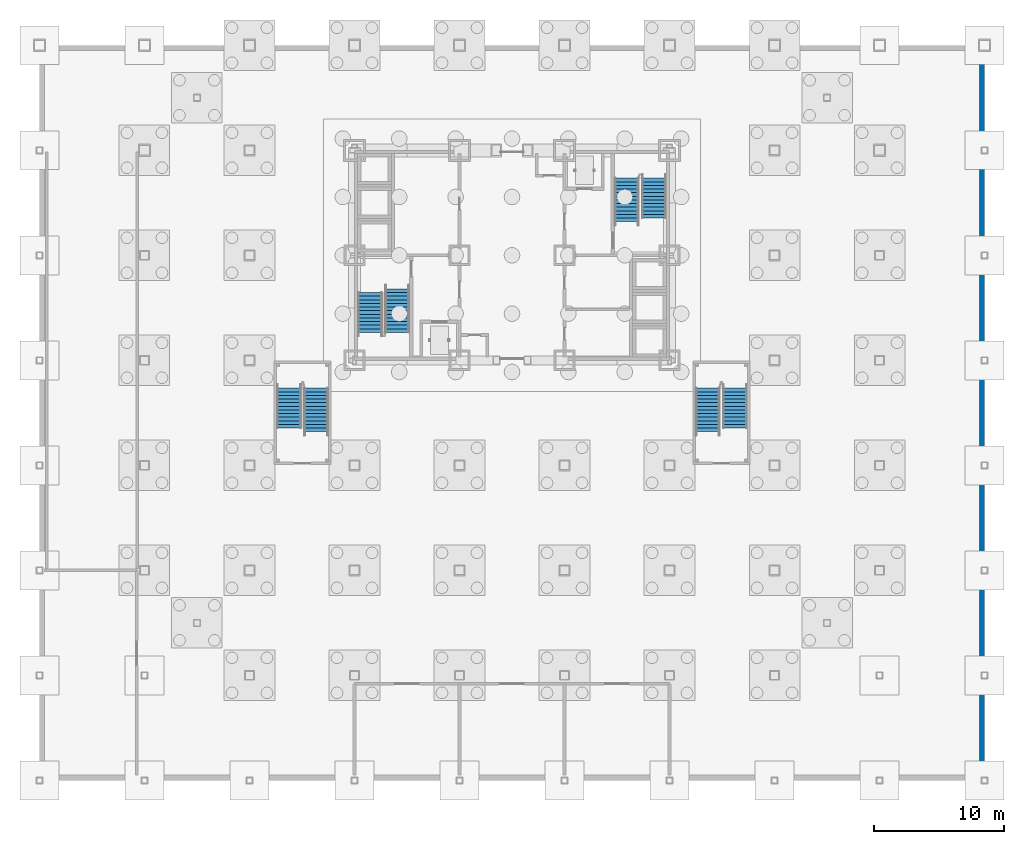
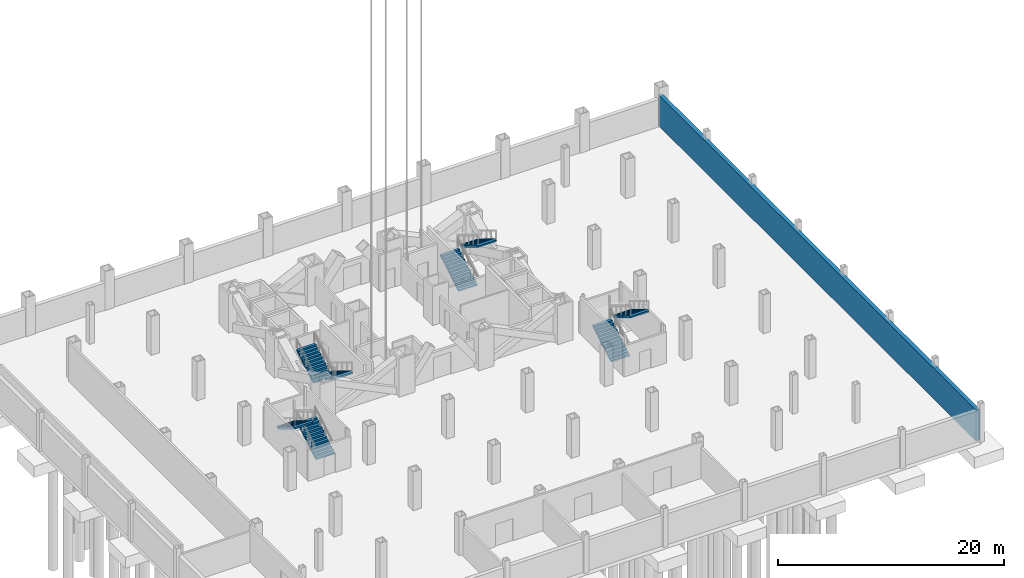
# One storey, part 13 of 17: 8 stair flights, 1 wall, 4 elements without a shape of their own.
"""IFC4 building model written with IfcOpenShell, lengths in metres."""

from ifc_helpers import new_model, si_unit, direction, frame, frame_2d, origin, place, context, subcontext, project, spatial, rectangle, extrude, polygons, source, transform, mapped, material, layer, layer_set, type_object, element, aggregate, save


model = new_model("IFC4")

# Units and contexts
model_context = context("Model", 3, precision=1e-05, world=origin(), true_north=direction((0.0, 1.0)))
body_context = subcontext(model_context, "Body", "Model", "MODEL_VIEW")
ifc_project = project(units=[si_unit("LENGTHUNIT", "METRE"), si_unit("AREAUNIT", "SQUARE_METRE"), si_unit("VOLUMEUNIT", "CUBIC_METRE"), si_unit("PLANEANGLEUNIT", "RADIAN"), si_unit("MASSUNIT", "GRAM", prefix="KILO")], contexts=[model_context])

# Site, building, storey
site_placement = place(None, origin())
site = spatial("IfcSite", under=ifc_project, at=site_placement, CompositionType="ELEMENT")
building_placement = place(site_placement, origin())
building = spatial("IfcBuilding", under=site, at=building_placement, Name="Kopane Lantern Tower", CompositionType="ELEMENT")
storey_placement = place(building_placement, frame((0.0, 0.0, -8.39990234375)))
storey = spatial("IfcBuildingStorey", under=building, at=storey_placement, Name="L-02", CompositionType="ELEMENT", Elevation=-8.39990234375)

# Wall
ifc_material_1 = material(Name="Concrete C40/50", Category="concrete")
ifc_layer = layer(ifc_material_1, 0.39990234375)
ifc_layer_set = layer_set([ifc_layer], Name="BASEMENT RETAINING WALL 400")
wall_type = type_object("IfcWallType", Name="BASEMENT RETAINING WALL 400", PredefinedType="SOLIDWALL", material=ifc_layer_set)
wall_placement = place(storey_placement, frame((64.60009765625, -7.89990234375, 0.0), z_axis=(0.0, 0.0, 1.0), x_axis=(0.0, 1.0, 0.0)))
element("IfcWall", 1, at=wall_placement, inside=storey, type_object=wall_type, Name="Basement Retaining Wall 400 L-02", PredefinedType="SOLIDWALL", context=body_context, shape_type="SweptSolid", body=[
    extrude(rectangle(XDim=56.2998046875, YDim=0.39990234375, at=frame_2d((28.14990234375, 0.0))), origin(), (0.0, 0.0, 1.0), 3.337646484375),
])

# Stair, stair flight
ifc_material_2 = material(Name="Steel S355JR", Category="steel")
stair_type = type_object("IfcStairType", Name="EXIT STAIR 1900 HALF TURN", PredefinedType="HALF_TURN_STAIR", material=ifc_material_2)
stair_1_placement = place(storey_placement, origin())
stair_1 = element("IfcStair", 2, at=stair_1_placement, inside=storey, type_object=stair_type, Name="Exit stair ST1 L-02", PredefinedType="HALF_TURN_STAIR")
ifc_material_3 = material(Name="Steel S355JR", Category="steel")
stair_flight_type = type_object("IfcStairFlightType", Name="STAIR FLIGHT 1900 STEEL", PredefinedType="STRAIGHT", material=ifc_material_3)
shared_shape_1 = source(origin(), body_context, "Body", "Tessellation", [
    polygons([(3.360107422, 0.949951172, 2.016113281), (3.080078125, 0.949951172, 2.016113281), (3.080078125, -0.949951172, 2.016113281), (3.360107422, -0.949951172, 2.016113281), (0.291259766, 0.949951172, 0.0), (3.360107422, 0.949951172, 1.841064453), (3.360107422, -0.949951172, 1.841064453), (0.291259766, -0.949951172, 0.0), (0.0, 0.949951172, 0.0), (0.0, -0.949951172, 0.0), (0.280029297, 0.949951172, 0.16796875), (0.0, 0.949951172, 0.16796875), (0.0, -0.949951172, 0.16796875), (0.280029297, -0.949951172, 0.16796875), (0.280029297, 0.949951172, 0.3359375), (0.280029297, -0.949951172, 0.3359375), (0.560058594, 0.949951172, 0.3359375), (0.560058594, -0.949951172, 0.3359375), (0.560058594, 0.949951172, 0.50390625), (0.560058594, -0.949951172, 0.50390625), (0.840087891, 0.949951172, 0.50390625), (0.840087891, -0.949951172, 0.50390625), (0.840087891, 0.949951172, 0.672119141), (0.840087891, -0.949951172, 0.672119141), (1.120117188, 0.949951172, 0.672119141), (1.120117188, -0.949951172, 0.672119141), (1.120117188, 0.949951172, 0.840087891), (1.120117188, -0.949951172, 0.840087891), (1.399902344, 0.949951172, 0.840087891), (1.399902344, -0.949951172, 0.840087891), (1.399902344, 0.949951172, 1.008056641), (1.399902344, -0.949951172, 1.008056641), (1.679931641, 0.949951172, 1.008056641), (1.679931641, -0.949951172, 1.008056641), (1.679931641, 0.949951172, 1.176025391), (1.679931641, -0.949951172, 1.176025391), (1.959960938, 0.949951172, 1.176025391), (1.959960938, -0.949951172, 1.176025391), (1.959960938, 0.949951172, 1.343994141), (1.959960938, -0.949951172, 1.343994141), (2.239990234, 0.949951172, 1.343994141), (2.239990234, -0.949951172, 1.343994141), (2.239990234, 0.949951172, 1.511962891), (2.239990234, -0.949951172, 1.511962891), (2.520019531, 0.949951172, 1.511962891), (2.520019531, -0.949951172, 1.511962891), (2.520019531, 0.949951172, 1.679931641), (2.520019531, -0.949951172, 1.679931641), (2.800048828, 0.949951172, 1.679931641), (2.800048828, -0.949951172, 1.679931641), (2.800048828, 0.949951172, 1.847900391), (2.800048828, -0.949951172, 1.847900391), (3.080078125, 0.949951172, 1.847900391), (3.080078125, -0.949951172, 1.847900391), (0.0, 0.0, 0.004539696), (0.0, 0.0, 0.009079392), (0.0, 0.0, 0.013619088), (0.0, 0.0, 0.018158784), (0.0, 0.0, 0.02269848), (0.0, 0.0, 0.027238176), (0.0, 0.0, 0.031777872), (0.0, 0.0, 0.036317568), (0.0, 0.0, 0.040857264), (0.0, 0.0, 0.045396959), (0.0, 0.0, 0.049936655), (0.0, 0.0, 0.054476351), (0.0, 0.0, 0.059016047), (0.0, 0.0, 0.063555743), (0.0, 0.0, 0.068095439), (0.0, 0.0, 0.072635135), (0.0, 0.0, 0.077174831), (0.0, 0.0, 0.081714527), (0.0, 0.0, 0.086254223), (0.0, 0.0, 0.090793919), (0.0, 0.0, 0.095333615), (0.0, 0.0, 0.099873311), (0.0, 0.0, 0.104413007), (0.0, 0.0, 0.108952703), (0.0, 0.0, 0.113492399), (0.0, 0.0, 0.118032095), (0.0, 0.0, 0.122571791), (0.0, 0.0, 0.127111486), (0.0, 0.0, 0.131651182), (0.0, 0.0, 0.136190878), (0.0, 0.0, 0.140730574), (0.0, 0.0, 0.14527027), (0.0, 0.0, 0.149809966), (0.0, 0.0, 0.154349662), (0.0, 0.0, 0.158889358), (0.0, 0.0, 0.163429054), (3.360107422, 0.0, 1.845795503), (3.360107422, 0.0, 1.850526552), (3.360107422, 0.0, 1.855257601), (3.360107422, 0.0, 1.859988651), (3.360107422, 0.0, 1.8647197), (3.360107422, 0.0, 1.86945075), (3.360107422, 0.0, 1.874181799), (3.360107422, 0.0, 1.878912848), (3.360107422, 0.0, 1.883643898), (3.360107422, 0.0, 1.888374947), (3.360107422, 0.0, 1.893105997), (3.360107422, 0.0, 1.897837046), (3.360107422, 0.0, 1.902568095), (3.360107422, 0.0, 1.907299145), (3.360107422, 0.0, 1.912030194), (3.360107422, 0.0, 1.916761244), (3.360107422, 0.0, 1.921492293), (3.360107422, 0.0, 1.926223342), (3.360107422, 0.0, 1.930954392), (3.360107422, 0.0, 1.935685441), (3.360107422, 0.0, 1.940416491), (3.360107422, 0.0, 1.94514754), (3.360107422, 0.0, 1.94987859), (3.360107422, 0.0, 1.954609639), (3.360107422, 0.0, 1.959340688), (3.360107422, 0.0, 1.964071738), (3.360107422, 0.0, 1.968802787), (3.360107422, 0.0, 1.973533837), (3.360107422, 0.0, 1.978264886), (3.360107422, 0.0, 1.982995935), (3.360107422, 0.0, 1.987726985), (3.360107422, 0.0, 1.992458034), (3.360107422, 0.0, 1.997189084), (3.360107422, 0.0, 2.001920133), (3.360107422, 0.0, 2.006651182), (3.360107422, 0.0, 2.011382232)], [[[1, 2, 3]], [[1, 3, 4]], [[5, 6, 7]], [[5, 7, 8]], [[9, 5, 8]], [[9, 8, 10]], [[11, 12, 13]], [[11, 13, 14]], [[15, 11, 14]], [[15, 14, 16]], [[17, 15, 16]], [[17, 16, 18]], [[19, 17, 18]], [[19, 18, 20]], [[21, 19, 20]], [[21, 20, 22]], [[23, 21, 22]], [[23, 22, 24]], [[25, 23, 24]], [[25, 24, 26]], [[27, 25, 26]], [[27, 26, 28]], [[29, 27, 28]], [[29, 28, 30]], [[31, 29, 30]], [[31, 30, 32]], [[33, 31, 32]], [[33, 32, 34]], [[35, 33, 34]], [[35, 34, 36]], [[37, 35, 36]], [[37, 36, 38]], [[39, 37, 38]], [[39, 38, 40]], [[41, 39, 40]], [[41, 40, 42]], [[43, 41, 42]], [[43, 42, 44]], [[45, 43, 44]], [[45, 44, 46]], [[47, 45, 46]], [[47, 46, 48]], [[49, 47, 48]], [[49, 48, 50]], [[51, 49, 50]], [[51, 50, 52]], [[53, 51, 52]], [[53, 52, 54]], [[2, 53, 54]], [[2, 54, 3]], [[53, 1, 6]], [[49, 53, 6]], [[2, 1, 53]], [[45, 49, 6]], [[51, 53, 49]], [[41, 45, 6]], [[47, 49, 45]], [[43, 45, 41]], [[39, 41, 37]], [[35, 37, 33]], [[31, 33, 29]], [[5, 25, 29]], [[5, 21, 25]], [[27, 29, 25]], [[17, 21, 5]], [[23, 25, 21]], [[11, 17, 5]], [[19, 21, 17]], [[9, 11, 5]], [[15, 17, 11]], [[12, 11, 9]], [[6, 5, 41]], [[41, 5, 37]], [[37, 5, 33]], [[33, 5, 29]], [[7, 4, 54]], [[7, 54, 50]], [[54, 4, 3]], [[7, 50, 46]], [[50, 54, 52]], [[7, 46, 42]], [[46, 50, 48]], [[42, 46, 44]], [[38, 42, 40]], [[34, 38, 36]], [[30, 34, 32]], [[30, 26, 8]], [[26, 22, 8]], [[26, 30, 28]], [[8, 22, 18]], [[22, 26, 24]], [[8, 18, 14]], [[18, 22, 20]], [[8, 14, 10]], [[14, 18, 16]], [[10, 14, 13]], [[42, 8, 7]], [[38, 8, 42]], [[34, 8, 38]], [[30, 8, 34]], [[10, 55, 9]], [[10, 56, 55]], [[9, 55, 56]], [[10, 57, 56]], [[9, 56, 57]], [[10, 58, 57]], [[9, 57, 58]], [[10, 59, 58]], [[9, 58, 59]], [[10, 60, 59]], [[9, 59, 60]], [[10, 61, 60]], [[9, 60, 61]], [[10, 62, 61]], [[9, 61, 62]], [[10, 63, 62]], [[9, 62, 63]], [[10, 64, 63]], [[9, 63, 64]], [[10, 65, 64]], [[9, 64, 65]], [[10, 66, 65]], [[9, 65, 66]], [[10, 67, 66]], [[9, 66, 67]], [[10, 68, 67]], [[9, 67, 68]], [[10, 69, 68]], [[9, 68, 69]], [[10, 70, 69]], [[9, 69, 70]], [[10, 71, 70]], [[9, 70, 71]], [[10, 72, 71]], [[9, 71, 72]], [[10, 73, 72]], [[9, 72, 73]], [[10, 74, 73]], [[9, 73, 74]], [[10, 75, 74]], [[9, 74, 75]], [[10, 76, 75]], [[9, 75, 76]], [[10, 77, 76]], [[9, 76, 77]], [[10, 78, 77]], [[9, 77, 78]], [[10, 79, 78]], [[9, 78, 79]], [[10, 80, 79]], [[9, 79, 80]], [[10, 81, 80]], [[9, 80, 81]], [[10, 82, 81]], [[9, 81, 82]], [[10, 83, 82]], [[9, 82, 83]], [[10, 84, 83]], [[9, 83, 84]], [[10, 85, 84]], [[9, 84, 85]], [[10, 86, 85]], [[9, 85, 86]], [[10, 87, 86]], [[9, 86, 87]], [[10, 88, 87]], [[9, 87, 88]], [[10, 89, 88]], [[9, 88, 89]], [[10, 90, 89]], [[9, 89, 90]], [[10, 13, 90]], [[90, 13, 12]], [[9, 90, 12]], [[7, 6, 91]], [[7, 91, 92]], [[6, 92, 91]], [[7, 92, 93]], [[6, 93, 92]], [[7, 93, 94]], [[6, 94, 93]], [[7, 94, 95]], [[6, 95, 94]], [[7, 95, 96]], [[6, 96, 95]], [[7, 96, 97]], [[6, 97, 96]], [[7, 97, 98]], [[6, 98, 97]], [[7, 98, 99]], [[6, 99, 98]], [[7, 99, 100]], [[6, 100, 99]], [[7, 100, 101]], [[6, 101, 100]], [[7, 101, 102]], [[6, 102, 101]], [[7, 102, 103]], [[6, 103, 102]], [[7, 103, 104]], [[6, 104, 103]], [[7, 104, 105]], [[6, 105, 104]], [[7, 105, 106]], [[6, 106, 105]], [[7, 106, 107]], [[6, 107, 106]], [[7, 107, 108]], [[6, 108, 107]], [[7, 108, 109]], [[6, 109, 108]], [[7, 109, 110]], [[6, 110, 109]], [[7, 110, 111]], [[6, 111, 110]], [[7, 111, 112]], [[6, 112, 111]], [[7, 112, 113]], [[6, 113, 112]], [[7, 113, 114]], [[6, 114, 113]], [[7, 114, 115]], [[6, 115, 114]], [[7, 115, 116]], [[6, 116, 115]], [[7, 116, 117]], [[6, 117, 116]], [[7, 117, 118]], [[6, 118, 117]], [[7, 118, 119]], [[6, 119, 118]], [[7, 119, 120]], [[6, 120, 119]], [[7, 120, 121]], [[6, 121, 120]], [[7, 121, 122]], [[6, 122, 121]], [[7, 122, 123]], [[6, 123, 122]], [[7, 123, 124]], [[6, 124, 123]], [[7, 124, 125]], [[6, 125, 124]], [[7, 125, 126]], [[6, 126, 125]], [[7, 126, 4]], [[126, 1, 4]], [[6, 1, 126]]], closed=True),
])
stair_flight_1_placement = place(storey_placement, frame((19.5, 29.81005859375, 0.0), z_axis=(0.0, 0.0, 1.0), x_axis=(0.0, -1.0, 0.0)))
stair_flight_1 = element("IfcStairFlight", 3, at=stair_flight_1_placement, type_object=stair_flight_type, Name="ST1 flight 1", NumberOfRisers=13, NumberOfTreads=12, PredefinedType="STRAIGHT", RiserHeight=0.168, TreadLength=0.28, context=body_context, shape_type="MappedRepresentation", body=[
    mapped(shared_shape_1, transform((0.0, 0.0, 0.0))),
])

stair_2_placement = place(storey_placement, origin())
stair_2 = element("IfcStair", 4, at=stair_2_placement, inside=storey, type_object=stair_type, Name="Exit stair ST2 L-02", PredefinedType="HALF_TURN_STAIR")
stair_flight_2_placement = place(storey_placement, frame((37.199951171875, 34.989990234375, 0.0), z_axis=(0.0, 0.0, 1.0), x_axis=(0.0, 1.0, 0.0)))
stair_flight_2 = element("IfcStairFlight", 5, at=stair_flight_2_placement, type_object=stair_flight_type, Name="ST2 flight 1", NumberOfRisers=13, NumberOfTreads=12, PredefinedType="STRAIGHT", RiserHeight=0.168, TreadLength=0.28, context=body_context, shape_type="MappedRepresentation", body=[
    mapped(shared_shape_1, transform((0.0, 0.0, 0.0))),
])

stair_3_placement = place(storey_placement, origin())
stair_3 = element("IfcStair", 6, at=stair_3_placement, inside=storey, type_object=stair_type, Name="Exit stair ST3 L-02", PredefinedType="HALF_TURN_STAIR")
stair_flight_3_placement = place(storey_placement, frame((13.25, 18.7900390625, 0.0), z_axis=(0.0, 0.0, 1.0), x_axis=(0.0, 1.0, 0.0)))
stair_flight_3 = element("IfcStairFlight", 7, at=stair_flight_3_placement, type_object=stair_flight_type, Name="ST3 flight 1", NumberOfRisers=13, NumberOfTreads=12, PredefinedType="STRAIGHT", RiserHeight=0.168, TreadLength=0.28, context=body_context, shape_type="MappedRepresentation", body=[
    mapped(shared_shape_1, transform((0.0, 0.0, 0.0))),
])

stair_4_placement = place(storey_placement, origin())
stair_4 = element("IfcStair", 8, at=stair_4_placement, inside=storey, type_object=stair_type, Name="Exit stair ST4 L-02", PredefinedType="HALF_TURN_STAIR")
stair_flight_4_placement = place(storey_placement, frame((43.449951171875, 18.7900390625, 0.0), z_axis=(0.0, 0.0, 1.0), x_axis=(0.0, 1.0, 0.0)))
stair_flight_4 = element("IfcStairFlight", 9, at=stair_flight_4_placement, type_object=stair_flight_type, Name="ST4 flight 1", NumberOfRisers=13, NumberOfTreads=12, PredefinedType="STRAIGHT", RiserHeight=0.168, TreadLength=0.28, context=body_context, shape_type="MappedRepresentation", body=[
    mapped(shared_shape_1, transform((0.0, 0.0, 0.0))),
])

# Stair flight
shared_shape_2 = source(origin(), body_context, "Body", "Tessellation", [
    polygons([(3.080078125, 0.949951172, 1.847900391), (2.800048828, 0.949951172, 1.847900391), (2.800048828, -0.949951172, 1.847900391), (3.080078125, -0.949951172, 1.847900391), (0.291259766, 0.949951172, 0.0), (3.080078125, 0.949951172, 1.673095703), (3.080078125, -0.949951172, 1.673095703), (0.291259766, -0.949951172, 0.0), (0.0, 0.949951172, 0.0), (0.0, -0.949951172, 0.0), (0.280029297, 0.949951172, 0.16796875), (0.0, 0.949951172, 0.16796875), (0.0, -0.949951172, 0.16796875), (0.280029297, -0.949951172, 0.16796875), (0.280029297, 0.949951172, 0.3359375), (0.280029297, -0.949951172, 0.3359375), (0.560058594, 0.949951172, 0.3359375), (0.560058594, -0.949951172, 0.3359375), (0.560058594, 0.949951172, 0.50390625), (0.560058594, -0.949951172, 0.50390625), (0.840087891, 0.949951172, 0.50390625), (0.840087891, -0.949951172, 0.50390625), (0.840087891, 0.949951172, 0.672119141), (0.840087891, -0.949951172, 0.672119141), (1.120117188, 0.949951172, 0.672119141), (1.120117188, -0.949951172, 0.672119141), (1.120117188, 0.949951172, 0.840087891), (1.120117188, -0.949951172, 0.840087891), (1.399902344, 0.949951172, 0.840087891), (1.399902344, -0.949951172, 0.840087891), (1.399902344, 0.949951172, 1.008056641), (1.399902344, -0.949951172, 1.008056641), (1.679931641, 0.949951172, 1.008056641), (1.679931641, -0.949951172, 1.008056641), (1.679931641, 0.949951172, 1.176025391), (1.679931641, -0.949951172, 1.176025391), (1.959960938, 0.949951172, 1.176025391), (1.959960938, -0.949951172, 1.176025391), (1.959960938, 0.949951172, 1.343994141), (1.959960938, -0.949951172, 1.343994141), (2.239990234, 0.949951172, 1.343994141), (2.239990234, -0.949951172, 1.343994141), (2.239990234, 0.949951172, 1.511962891), (2.239990234, -0.949951172, 1.511962891), (2.520019531, 0.949951172, 1.511962891), (2.520019531, -0.949951172, 1.511962891), (2.520019531, 0.949951172, 1.679931641), (2.520019531, -0.949951172, 1.679931641), (2.800048828, 0.949951172, 1.679931641), (2.800048828, -0.949951172, 1.679931641), (0.0, 0.0, 0.004539696), (0.0, 0.0, 0.009079392), (0.0, 0.0, 0.013619088), (0.0, 0.0, 0.018158784), (0.0, 0.0, 0.02269848), (0.0, 0.0, 0.027238176), (0.0, 0.0, 0.031777872), (0.0, 0.0, 0.036317568), (0.0, 0.0, 0.040857264), (0.0, 0.0, 0.045396959), (0.0, 0.0, 0.049936655), (0.0, 0.0, 0.054476351), (0.0, 0.0, 0.059016047), (0.0, 0.0, 0.063555743), (0.0, 0.0, 0.068095439), (0.0, 0.0, 0.072635135), (0.0, 0.0, 0.077174831), (0.0, 0.0, 0.081714527), (0.0, 0.0, 0.086254223), (0.0, 0.0, 0.090793919), (0.0, 0.0, 0.095333615), (0.0, 0.0, 0.099873311), (0.0, 0.0, 0.104413007), (0.0, 0.0, 0.108952703), (0.0, 0.0, 0.113492399), (0.0, 0.0, 0.118032095), (0.0, 0.0, 0.122571791), (0.0, 0.0, 0.127111486), (0.0, 0.0, 0.131651182), (0.0, 0.0, 0.136190878), (0.0, 0.0, 0.140730574), (0.0, 0.0, 0.14527027), (0.0, 0.0, 0.149809966), (0.0, 0.0, 0.154349662), (0.0, 0.0, 0.158889358), (0.0, 0.0, 0.163429054), (3.080078125, 0.0, 1.677820154), (3.080078125, 0.0, 1.682544605), (3.080078125, 0.0, 1.687269056), (3.080078125, 0.0, 1.691993507), (3.080078125, 0.0, 1.696717958), (3.080078125, 0.0, 1.701442409), (3.080078125, 0.0, 1.70616686), (3.080078125, 0.0, 1.710891311), (3.080078125, 0.0, 1.715615762), (3.080078125, 0.0, 1.720340213), (3.080078125, 0.0, 1.725064664), (3.080078125, 0.0, 1.729789115), (3.080078125, 0.0, 1.734513566), (3.080078125, 0.0, 1.739238017), (3.080078125, 0.0, 1.743962468), (3.080078125, 0.0, 1.748686919), (3.080078125, 0.0, 1.75341137), (3.080078125, 0.0, 1.758135821), (3.080078125, 0.0, 1.762860272), (3.080078125, 0.0, 1.767584723), (3.080078125, 0.0, 1.772309174), (3.080078125, 0.0, 1.777033625), (3.080078125, 0.0, 1.781758076), (3.080078125, 0.0, 1.786482527), (3.080078125, 0.0, 1.791206978), (3.080078125, 0.0, 1.795931429), (3.080078125, 0.0, 1.80065588), (3.080078125, 0.0, 1.805380332), (3.080078125, 0.0, 1.810104783), (3.080078125, 0.0, 1.814829234), (3.080078125, 0.0, 1.819553685), (3.080078125, 0.0, 1.824278136), (3.080078125, 0.0, 1.829002587), (3.080078125, 0.0, 1.833727038), (3.080078125, 0.0, 1.838451489), (3.080078125, 0.0, 1.84317594)], [[[1, 2, 3]], [[1, 3, 4]], [[5, 6, 7]], [[5, 7, 8]], [[9, 5, 8]], [[9, 8, 10]], [[11, 12, 13]], [[11, 13, 14]], [[15, 11, 14]], [[15, 14, 16]], [[17, 15, 16]], [[17, 16, 18]], [[19, 17, 18]], [[19, 18, 20]], [[21, 19, 20]], [[21, 20, 22]], [[23, 21, 22]], [[23, 22, 24]], [[25, 23, 24]], [[25, 24, 26]], [[27, 25, 26]], [[27, 26, 28]], [[29, 27, 28]], [[29, 28, 30]], [[31, 29, 30]], [[31, 30, 32]], [[33, 31, 32]], [[33, 32, 34]], [[35, 33, 34]], [[35, 34, 36]], [[37, 35, 36]], [[37, 36, 38]], [[39, 37, 38]], [[39, 38, 40]], [[41, 39, 40]], [[41, 40, 42]], [[43, 41, 42]], [[43, 42, 44]], [[45, 43, 44]], [[45, 44, 46]], [[47, 45, 46]], [[47, 46, 48]], [[49, 47, 48]], [[49, 48, 50]], [[2, 49, 50]], [[2, 50, 3]], [[49, 1, 6]], [[45, 49, 6]], [[2, 1, 49]], [[41, 45, 6]], [[47, 49, 45]], [[37, 41, 6]], [[43, 45, 41]], [[39, 41, 37]], [[35, 37, 33]], [[31, 33, 29]], [[5, 21, 25]], [[27, 29, 25]], [[17, 21, 5]], [[23, 25, 21]], [[11, 17, 5]], [[19, 21, 17]], [[9, 11, 5]], [[15, 17, 11]], [[12, 11, 9]], [[6, 5, 25]], [[6, 25, 29]], [[6, 29, 33]], [[6, 33, 37]], [[7, 4, 50]], [[7, 50, 46]], [[50, 4, 3]], [[7, 46, 42]], [[46, 50, 48]], [[7, 42, 38]], [[42, 46, 44]], [[38, 42, 40]], [[34, 38, 36]], [[30, 34, 32]], [[26, 22, 8]], [[26, 30, 28]], [[8, 22, 18]], [[22, 26, 24]], [[8, 18, 14]], [[18, 22, 20]], [[8, 14, 10]], [[14, 18, 16]], [[10, 14, 13]], [[26, 8, 7]], [[30, 26, 7]], [[34, 30, 7]], [[38, 34, 7]], [[10, 51, 9]], [[10, 52, 51]], [[9, 51, 52]], [[10, 53, 52]], [[9, 52, 53]], [[10, 54, 53]], [[9, 53, 54]], [[10, 55, 54]], [[9, 54, 55]], [[10, 56, 55]], [[9, 55, 56]], [[10, 57, 56]], [[9, 56, 57]], [[10, 58, 57]], [[9, 57, 58]], [[10, 59, 58]], [[9, 58, 59]], [[10, 60, 59]], [[9, 59, 60]], [[10, 61, 60]], [[9, 60, 61]], [[10, 62, 61]], [[9, 61, 62]], [[10, 63, 62]], [[9, 62, 63]], [[10, 64, 63]], [[9, 63, 64]], [[10, 65, 64]], [[9, 64, 65]], [[10, 66, 65]], [[9, 65, 66]], [[10, 67, 66]], [[9, 66, 67]], [[10, 68, 67]], [[9, 67, 68]], [[10, 69, 68]], [[9, 68, 69]], [[10, 70, 69]], [[9, 69, 70]], [[10, 71, 70]], [[9, 70, 71]], [[10, 72, 71]], [[9, 71, 72]], [[10, 73, 72]], [[9, 72, 73]], [[10, 74, 73]], [[9, 73, 74]], [[10, 75, 74]], [[9, 74, 75]], [[10, 76, 75]], [[9, 75, 76]], [[10, 77, 76]], [[9, 76, 77]], [[10, 78, 77]], [[9, 77, 78]], [[10, 79, 78]], [[9, 78, 79]], [[10, 80, 79]], [[9, 79, 80]], [[10, 81, 80]], [[9, 80, 81]], [[10, 82, 81]], [[9, 81, 82]], [[10, 83, 82]], [[9, 82, 83]], [[10, 84, 83]], [[9, 83, 84]], [[10, 85, 84]], [[9, 84, 85]], [[10, 86, 85]], [[9, 85, 86]], [[10, 13, 86]], [[86, 13, 12]], [[9, 86, 12]], [[7, 6, 87]], [[7, 87, 88]], [[6, 88, 87]], [[7, 88, 89]], [[6, 89, 88]], [[7, 89, 90]], [[6, 90, 89]], [[7, 90, 91]], [[6, 91, 90]], [[7, 91, 92]], [[6, 92, 91]], [[7, 92, 93]], [[6, 93, 92]], [[7, 93, 94]], [[6, 94, 93]], [[7, 94, 95]], [[6, 95, 94]], [[7, 95, 96]], [[6, 96, 95]], [[7, 96, 97]], [[6, 97, 96]], [[7, 97, 98]], [[6, 98, 97]], [[7, 98, 99]], [[6, 99, 98]], [[7, 99, 100]], [[6, 100, 99]], [[7, 100, 101]], [[6, 101, 100]], [[7, 101, 102]], [[6, 102, 101]], [[7, 102, 103]], [[6, 103, 102]], [[7, 103, 104]], [[6, 104, 103]], [[7, 104, 105]], [[6, 105, 104]], [[7, 105, 106]], [[6, 106, 105]], [[7, 106, 107]], [[6, 107, 106]], [[7, 107, 108]], [[6, 108, 107]], [[7, 108, 109]], [[6, 109, 108]], [[7, 109, 110]], [[6, 110, 109]], [[7, 110, 111]], [[6, 111, 110]], [[7, 111, 112]], [[6, 112, 111]], [[7, 112, 113]], [[6, 113, 112]], [[7, 113, 114]], [[6, 114, 113]], [[7, 114, 115]], [[6, 115, 114]], [[7, 115, 116]], [[6, 116, 115]], [[7, 116, 117]], [[6, 117, 116]], [[7, 117, 118]], [[6, 118, 117]], [[7, 118, 119]], [[6, 119, 118]], [[7, 119, 120]], [[6, 120, 119]], [[7, 120, 121]], [[6, 121, 120]], [[7, 121, 122]], [[6, 122, 121]], [[7, 122, 4]], [[122, 1, 4]], [[6, 1, 122]]], closed=True),
])
stair_flight_5_placement = place(storey_placement, frame((17.39990234375, 26.449951171875, 2.183837890625), z_axis=(0.0, 0.0, 1.0), x_axis=(0.0, 1.0, 0.0)))
stair_flight_5 = element("IfcStairFlight", 10, at=stair_flight_5_placement, type_object=stair_flight_type, Name="ST1 flight 2", NumberOfRisers=12, NumberOfTreads=11, PredefinedType="STRAIGHT", RiserHeight=0.168, TreadLength=0.28, context=body_context, shape_type="MappedRepresentation", body=[
    mapped(shared_shape_2, transform((0.0, 0.0, 0.0))),
])

aggregate(stair_1, [stair_flight_1, stair_flight_5])

stair_flight_6_placement = place(storey_placement, frame((39.300048828125, 38.35009765625, 2.183837890625), z_axis=(0.0, 0.0, 1.0), x_axis=(0.0, -1.0, 0.0)))
stair_flight_6 = element("IfcStairFlight", 11, at=stair_flight_6_placement, type_object=stair_flight_type, Name="ST2 flight 2", NumberOfRisers=12, NumberOfTreads=11, PredefinedType="STRAIGHT", RiserHeight=0.168, TreadLength=0.28, context=body_context, shape_type="MappedRepresentation", body=[
    mapped(shared_shape_2, transform((0.0, 0.0, 0.0))),
])

aggregate(stair_2, [stair_flight_2, stair_flight_6])

stair_flight_7_placement = place(storey_placement, frame((11.14990234375, 22.14990234375, 2.183837890625), z_axis=(0.0, 0.0, 1.0), x_axis=(0.0, -1.0, 0.0)))
stair_flight_7 = element("IfcStairFlight", 12, at=stair_flight_7_placement, type_object=stair_flight_type, Name="ST3 flight 2", NumberOfRisers=12, NumberOfTreads=11, PredefinedType="STRAIGHT", RiserHeight=0.168, TreadLength=0.28, context=body_context, shape_type="MappedRepresentation", body=[
    mapped(shared_shape_2, transform((0.0, 0.0, 0.0))),
])

aggregate(stair_3, [stair_flight_3, stair_flight_7])

stair_flight_8_placement = place(storey_placement, frame((45.550048828125, 22.14990234375, 2.183837890625), z_axis=(0.0, 0.0, 1.0), x_axis=(0.0, -1.0, 0.0)))
stair_flight_8 = element("IfcStairFlight", 13, at=stair_flight_8_placement, type_object=stair_flight_type, Name="ST4 flight 2", NumberOfRisers=12, NumberOfTreads=11, PredefinedType="STRAIGHT", RiserHeight=0.168, TreadLength=0.28, context=body_context, shape_type="MappedRepresentation", body=[
    mapped(shared_shape_2, transform((0.0, 0.0, 0.0))),
])

aggregate(stair_4, [stair_flight_4, stair_flight_8])

save(model, "model.ifc")
